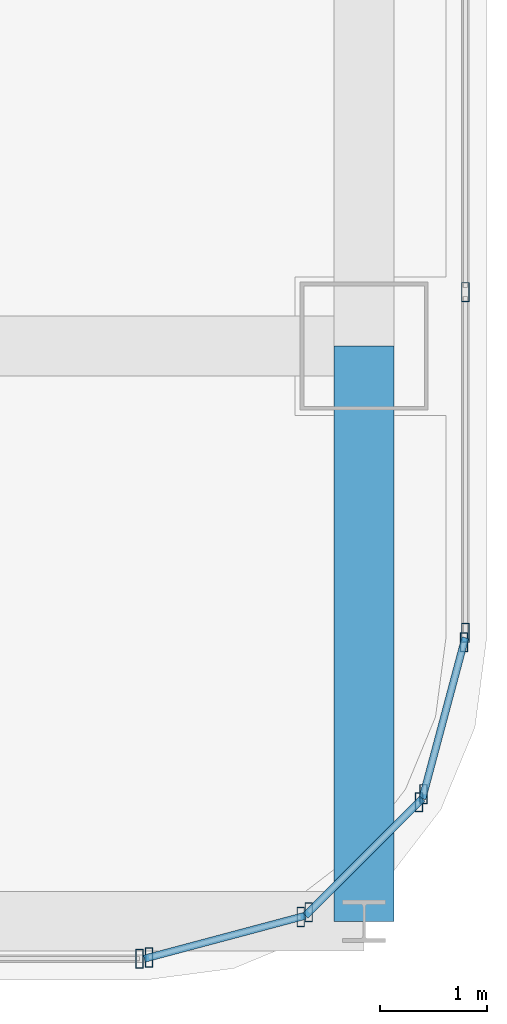
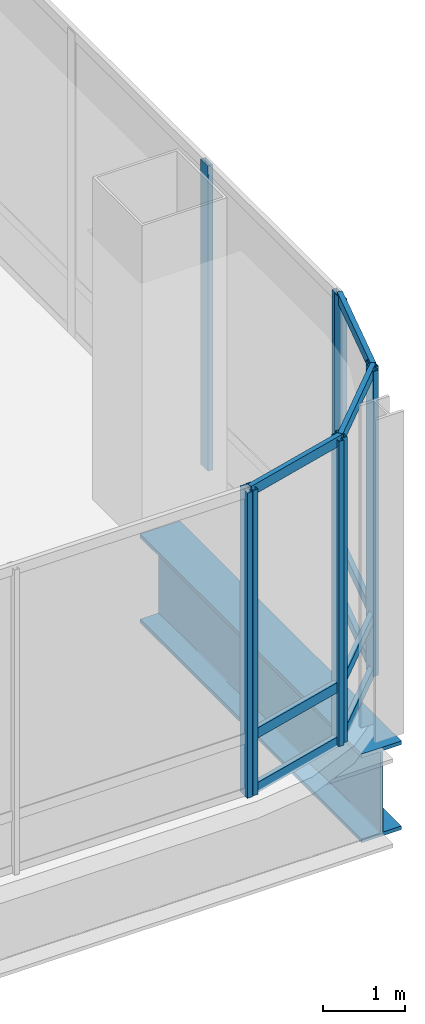
# One storey, part 18 of 44: 18 members, 1 beam, 5 elements without a shape of their own.
"""IFC4 building model written with IfcOpenShell, lengths in metres."""

from ifc_helpers import new_model, si_unit, direction, frame, origin, origin_2d, place, context, subcontext, project, spatial, hollow_rectangle, i_section, extrude, material, material_profile, profile_set, type_object, element, aggregate, save


model = new_model("IFC4")

# Units and contexts
model_context = context("Model", 3, precision=1e-05, world=origin(), true_north=direction((0.0, 1.0)))
body_context = subcontext(model_context, "Body", "Model", "MODEL_VIEW")
ifc_project = project(units=[si_unit("LENGTHUNIT", "METRE"), si_unit("AREAUNIT", "SQUARE_METRE"), si_unit("VOLUMEUNIT", "CUBIC_METRE"), si_unit("PLANEANGLEUNIT", "RADIAN"), si_unit("MASSUNIT", "GRAM", prefix="KILO")], contexts=[model_context])

# Site, building, storey
site_placement = place(None, origin())
site = spatial("IfcSite", under=ifc_project, at=site_placement, CompositionType="ELEMENT")
building_placement = place(site_placement, origin())
building = spatial("IfcBuilding", under=site, at=building_placement, Name="Punatoya Terracotta Tower", CompositionType="ELEMENT")
storey_placement = place(building_placement, frame((0.0, 0.0, 334.199951171875)))
storey = spatial("IfcBuildingStorey", under=building, at=storey_placement, Name="L79", CompositionType="ELEMENT", Elevation=334.199951171875)

# Beam
ifc_material_1 = material(Name="Steel S460", Category="steel")
ifc_material_profile_1 = material_profile(ifc_material_1, i_section(OverallWidth=0.56005859375, OverallDepth=1.320068359375, WebThickness=0.035888671875, FlangeThickness=0.054931640625, FilletRadius=0.01806640625, at=origin_2d()))
ifc_profile_set_1 = profile_set([ifc_material_profile_1], Name="Steel S460")
beam_type = type_object("IfcBeamType", Name="BM-TG-BLK", PredefinedType="BEAM", material=ifc_profile_set_1)
beam_placement = place(storey_placement, frame((19.10009765625, -22.89990234375, -0.919921875), z_axis=(0.0, 1.0, 0.0), x_axis=(-1.0, 0.0, 0.0)))
element("IfcBeam", 1, at=beam_placement, inside=storey, type_object=beam_type, Name="BM-L79-CANT-S4", PredefinedType="BEAM", context=body_context, shape_type="SweptSolid", body=[
    extrude(i_section(OverallWidth=0.56005859375, OverallDepth=1.320068359375, WebThickness=0.035888671875, FlangeThickness=0.054931640625, FilletRadius=0.01806640625, at=origin_2d()), origin(), (0.0, 0.0, 1.0), 5.39990234375),
])

# Curtain wall, member
ifc_material_2 = material(Name="Aluminium 6063-T6 + Double Low-E Glass", Category="aluminium")
curtain_wall_type = type_object("IfcCurtainWallType", Name="CW-OBS", PredefinedType="NOTDEFINED", material=ifc_material_2)
curtain_wall_1_placement = place(storey_placement, origin())
curtain_wall_1 = element("IfcCurtainWall", 2, at=curtain_wall_1_placement, inside=storey, type_object=curtain_wall_type, Name="L79 Curtain Wall CW-L79-S06-1", PredefinedType="NOTDEFINED")
ifc_material_3 = material(Name="Aluminium 6063-T6", Category="aluminium")
ifc_material_profile_2 = material_profile(ifc_material_3, hollow_rectangle(XDim=0.070068359375, YDim=0.179931640625, WallThickness=0.00390625, at=origin_2d()))
ifc_profile_set_2 = profile_set([ifc_material_profile_2], Name="Aluminium 6063-T6")
member_type_1 = type_object("IfcMemberType", Name="CW-MUL-M3", PredefinedType="MULLION", material=ifc_profile_set_2)
member_1_placement = place(storey_placement, frame((16.991943359375, -23.25, 0.0), z_axis=(0.0, 0.0, 1.0), x_axis=(1.0, 0.0, 0.0)))
member_1 = element("IfcMember", 3, at=member_1_placement, type_object=member_type_1, Name="CW-L79-S06-1 Mullion 02", PredefinedType="MULLION", context=body_context, shape_type="SweptSolid", body=[
    extrude(hollow_rectangle(XDim=0.070068359375, YDim=0.179931640625, WallThickness=0.00390625, at=origin_2d()), origin(), (0.0, 0.0, 1.0), 4.5400390625),
])
aggregate(curtain_wall_1, [member_1])

# Curtain wall, members
curtain_wall_2_placement = place(storey_placement, origin())
curtain_wall_2 = element("IfcCurtainWall", 4, at=curtain_wall_2_placement, inside=storey, type_object=curtain_wall_type, Name="L79 Curtain Wall CW-L79-CRN07", PredefinedType="NOTDEFINED")
member_2_placement = place(storey_placement, frame((17.080322265625, -23.23828125, 0.0), z_axis=(0.0, 0.0, 1.0), x_axis=(1.0, 0.0, 0.0)))
member_2 = element("IfcMember", 5, at=member_2_placement, type_object=member_type_1, Name="CW-L79-CRN07 Mullion 00", PredefinedType="MULLION", context=body_context, shape_type="SweptSolid", body=[
    extrude(hollow_rectangle(XDim=0.070068359375, YDim=0.179931640625, WallThickness=0.00390625, at=origin_2d()), origin(), (0.0, 0.0, 1.0), 4.5400390625),
])
member_3_placement = place(storey_placement, frame((18.505615234375, -22.858154296875, 0.0), z_axis=(0.0, 0.0, 1.0), x_axis=(1.0, 0.0, 0.0)))
member_3 = element("IfcMember", 6, at=member_3_placement, type_object=member_type_1, Name="CW-L79-CRN07 Mullion 01", PredefinedType="MULLION", context=body_context, shape_type="SweptSolid", body=[
    extrude(hollow_rectangle(XDim=0.070068359375, YDim=0.179931640625, WallThickness=0.00390625, at=origin_2d()), origin(), (0.0, 0.0, 1.0), 4.5400390625),
])

curtain_wall_3_placement = place(storey_placement, origin())
curtain_wall_3 = element("IfcCurtainWall", 7, at=curtain_wall_3_placement, inside=storey, type_object=curtain_wall_type, Name="L79 Curtain Wall CW-L79-CRN08", PredefinedType="NOTDEFINED")
member_4_placement = place(storey_placement, frame((18.580810546875, -22.814697265625, 0.0), z_axis=(0.0, 0.0, 1.0), x_axis=(1.0, 0.0, 0.0)))
member_4 = element("IfcMember", 8, at=member_4_placement, type_object=member_type_1, Name="CW-L79-CRN08 Mullion 00", PredefinedType="MULLION", context=body_context, shape_type="SweptSolid", body=[
    extrude(hollow_rectangle(XDim=0.070068359375, YDim=0.179931640625, WallThickness=0.00390625, at=origin_2d()), origin(), (0.0, 0.0, 1.0), 4.5400390625),
])
member_5_placement = place(storey_placement, frame((19.61474609375, -21.781005859375, 0.0), z_axis=(0.0, 0.0, 1.0), x_axis=(1.0, 0.0, 0.0)))
member_5 = element("IfcMember", 9, at=member_5_placement, type_object=member_type_1, Name="CW-L79-CRN08 Mullion 01", PredefinedType="MULLION", context=body_context, shape_type="SweptSolid", body=[
    extrude(hollow_rectangle(XDim=0.070068359375, YDim=0.179931640625, WallThickness=0.00390625, at=origin_2d()), origin(), (0.0, 0.0, 1.0), 4.5400390625),
])

curtain_wall_4_placement = place(storey_placement, origin())
curtain_wall_4 = element("IfcCurtainWall", 10, at=curtain_wall_4_placement, inside=storey, type_object=curtain_wall_type, Name="L79 Curtain Wall CW-L79-CRN09", PredefinedType="NOTDEFINED")
member_6_placement = place(storey_placement, frame((19.658203125, -21.70556640625, 0.0), z_axis=(0.0, 0.0, 1.0), x_axis=(1.0, 0.0, 0.0)))
member_6 = element("IfcMember", 11, at=member_6_placement, type_object=member_type_1, Name="CW-L79-CRN09 Mullion 00", PredefinedType="MULLION", context=body_context, shape_type="SweptSolid", body=[
    extrude(hollow_rectangle(XDim=0.070068359375, YDim=0.179931640625, WallThickness=0.00390625, at=origin_2d()), origin(), (0.0, 0.0, 1.0), 4.5400390625),
])
member_7_placement = place(storey_placement, frame((20.038330078125, -20.280517578125, 0.0), z_axis=(0.0, 0.0, 1.0), x_axis=(1.0, 0.0, 0.0)))
member_7 = element("IfcMember", 12, at=member_7_placement, type_object=member_type_1, Name="CW-L79-CRN09 Mullion 01", PredefinedType="MULLION", context=body_context, shape_type="SweptSolid", body=[
    extrude(hollow_rectangle(XDim=0.070068359375, YDim=0.179931640625, WallThickness=0.00390625, at=origin_2d()), origin(), (0.0, 0.0, 1.0), 4.5400390625),
])

curtain_wall_5_placement = place(storey_placement, origin())
curtain_wall_5 = element("IfcCurtainWall", 13, at=curtain_wall_5_placement, inside=storey, type_object=curtain_wall_type, Name="L79 Curtain Wall CW-L79-E10-1", PredefinedType="NOTDEFINED")
member_8_placement = place(storey_placement, frame((20.050048828125, -20.19189453125, 0.0), z_axis=(0.0, 0.0, 1.0), x_axis=(1.0, 0.0, 0.0)))
member_8 = element("IfcMember", 14, at=member_8_placement, type_object=member_type_1, Name="CW-L79-E10-1 Mullion 00", PredefinedType="MULLION", context=body_context, shape_type="SweptSolid", body=[
    extrude(hollow_rectangle(XDim=0.070068359375, YDim=0.179931640625, WallThickness=0.00390625, at=origin_2d()), origin(), (0.0, 0.0, 1.0), 4.5400390625),
])
member_9_placement = place(storey_placement, frame((20.050048828125, -16.993896484375, 0.0), z_axis=(0.0, 0.0, 1.0), x_axis=(1.0, 0.0, 0.0)))
member_9 = element("IfcMember", 15, at=member_9_placement, type_object=member_type_1, Name="CW-L79-E10-1 Mullion 01", PredefinedType="MULLION", context=body_context, shape_type="SweptSolid", body=[
    extrude(hollow_rectangle(XDim=0.070068359375, YDim=0.179931640625, WallThickness=0.00390625, at=origin_2d()), origin(), (0.0, 0.0, 1.0), 4.5400390625),
])
aggregate(curtain_wall_5, [member_8, member_9])

# Member
ifc_material_profile_3 = material_profile(ifc_material_3, hollow_rectangle(XDim=0.068115234375, YDim=0.14990234375, WallThickness=0.00390625, at=origin_2d()))
ifc_profile_set_3 = profile_set([ifc_material_profile_3], Name="Aluminium 6063-T6")
member_type_2 = type_object("IfcMemberType", Name="CW-TRN-TYP", PredefinedType="USERDEFINED", material=ifc_profile_set_3)
member_10_placement = place(storey_placement, frame((17.036865234375, -23.25, 0.0400390625), z_axis=(0.966224582397, 0.257701486942, 0.0), x_axis=(-0.257701486942, 0.966224582397, 0.0)))
member_10 = element("IfcMember", 16, at=member_10_placement, type_object=member_type_2, Name="CW-L79-CRN07 Transom 1", ObjectType="TRANSOM", PredefinedType="USERDEFINED", context=body_context, shape_type="SweptSolid", body=[
    extrude(hollow_rectangle(XDim=0.068115234375, YDim=0.14990234375, WallThickness=0.00390625, at=origin_2d()), origin(), (0.0, 0.0, 1.0), 1.565185546875),
])

member_11_placement = place(storey_placement, frame((17.036865234375, -23.25, 0.85009765625), z_axis=(0.966224582397, 0.257701486942, 0.0), x_axis=(-0.257701486942, 0.966224582397, 0.0)))
member_11 = element("IfcMember", 17, at=member_11_placement, type_object=member_type_2, Name="CW-L79-CRN07 Transom 2", ObjectType="TRANSOM", PredefinedType="USERDEFINED", context=body_context, shape_type="SweptSolid", body=[
    extrude(hollow_rectangle(XDim=0.068115234375, YDim=0.14990234375, WallThickness=0.00390625, at=origin_2d()), origin(), (0.0, 0.0, 1.0), 1.565185546875),
])

member_12_placement = place(storey_placement, frame((17.036865234375, -23.25, 4.5), z_axis=(0.966224582397, 0.257701486942, 0.0), x_axis=(-0.257701486942, 0.966224582397, 0.0)))
member_12 = element("IfcMember", 18, at=member_12_placement, type_object=member_type_2, Name="CW-L79-CRN07 Transom 3", ObjectType="TRANSOM", PredefinedType="USERDEFINED", context=body_context, shape_type="SweptSolid", body=[
    extrude(hollow_rectangle(XDim=0.068115234375, YDim=0.14990234375, WallThickness=0.00390625, at=origin_2d()), origin(), (0.0, 0.0, 1.0), 1.565185546875),
])

aggregate(curtain_wall_2, [member_2, member_3, member_10, member_11, member_12])

member_13_placement = place(storey_placement, frame((18.549072265625, -22.8466796875, 0.0400390625), z_axis=(0.707028130747, 0.707185422879, 0.0), x_axis=(-0.707185422879, 0.707028130747, 0.0)))
member_13 = element("IfcMember", 19, at=member_13_placement, type_object=member_type_2, Name="CW-L79-CRN08 Transom 1", ObjectType="TRANSOM", PredefinedType="USERDEFINED", context=body_context, shape_type="SweptSolid", body=[
    extrude(hollow_rectangle(XDim=0.068115234375, YDim=0.14990234375, WallThickness=0.00390625, at=origin_2d()), origin(), (0.0, 0.0, 1.0), 1.55224609375),
])

member_14_placement = place(storey_placement, frame((18.549072265625, -22.8466796875, 0.85009765625), z_axis=(0.707028130747, 0.707185422879, 0.0), x_axis=(-0.707185422879, 0.707028130747, 0.0)))
member_14 = element("IfcMember", 20, at=member_14_placement, type_object=member_type_2, Name="CW-L79-CRN08 Transom 2", ObjectType="TRANSOM", PredefinedType="USERDEFINED", context=body_context, shape_type="SweptSolid", body=[
    extrude(hollow_rectangle(XDim=0.068115234375, YDim=0.14990234375, WallThickness=0.00390625, at=origin_2d()), origin(), (0.0, 0.0, 1.0), 1.55224609375),
])

member_15_placement = place(storey_placement, frame((18.549072265625, -22.8466796875, 4.5), z_axis=(0.707028130747, 0.707185422879, 0.0), x_axis=(-0.707185422879, 0.707028130747, 0.0)))
member_15 = element("IfcMember", 21, at=member_15_placement, type_object=member_type_2, Name="CW-L79-CRN08 Transom 3", ObjectType="TRANSOM", PredefinedType="USERDEFINED", context=body_context, shape_type="SweptSolid", body=[
    extrude(hollow_rectangle(XDim=0.068115234375, YDim=0.14990234375, WallThickness=0.00390625, at=origin_2d()), origin(), (0.0, 0.0, 1.0), 1.55224609375),
])

aggregate(curtain_wall_3, [member_4, member_5, member_13, member_14, member_15])

member_16_placement = place(storey_placement, frame((19.646484375, -21.7490234375, 0.0400390625), z_axis=(0.257847112249, 0.966185730957, 0.0), x_axis=(-0.966185730957, 0.257847112249, 0.0)))
member_16 = element("IfcMember", 22, at=member_16_placement, type_object=member_type_2, Name="CW-L79-CRN09 Transom 1", ObjectType="TRANSOM", PredefinedType="USERDEFINED", context=body_context, shape_type="SweptSolid", body=[
    extrude(hollow_rectangle(XDim=0.068115234375, YDim=0.14990234375, WallThickness=0.00390625, at=origin_2d()), origin(), (0.0, 0.0, 1.0), 1.565185546875),
])

member_17_placement = place(storey_placement, frame((19.646484375, -21.7490234375, 0.85009765625), z_axis=(0.257847112249, 0.966185730957, 0.0), x_axis=(-0.966185730957, 0.257847112249, 0.0)))
member_17 = element("IfcMember", 23, at=member_17_placement, type_object=member_type_2, Name="CW-L79-CRN09 Transom 2", ObjectType="TRANSOM", PredefinedType="USERDEFINED", context=body_context, shape_type="SweptSolid", body=[
    extrude(hollow_rectangle(XDim=0.068115234375, YDim=0.14990234375, WallThickness=0.00390625, at=origin_2d()), origin(), (0.0, 0.0, 1.0), 1.565185546875),
])

member_18_placement = place(storey_placement, frame((19.646484375, -21.7490234375, 4.5), z_axis=(0.257847112249, 0.966185730957, 0.0), x_axis=(-0.966185730957, 0.257847112249, 0.0)))
member_18 = element("IfcMember", 24, at=member_18_placement, type_object=member_type_2, Name="CW-L79-CRN09 Transom 3", ObjectType="TRANSOM", PredefinedType="USERDEFINED", context=body_context, shape_type="SweptSolid", body=[
    extrude(hollow_rectangle(XDim=0.068115234375, YDim=0.14990234375, WallThickness=0.00390625, at=origin_2d()), origin(), (0.0, 0.0, 1.0), 1.565185546875),
])

aggregate(curtain_wall_4, [member_6, member_7, member_16, member_17, member_18])

save(model, "model.ifc")
